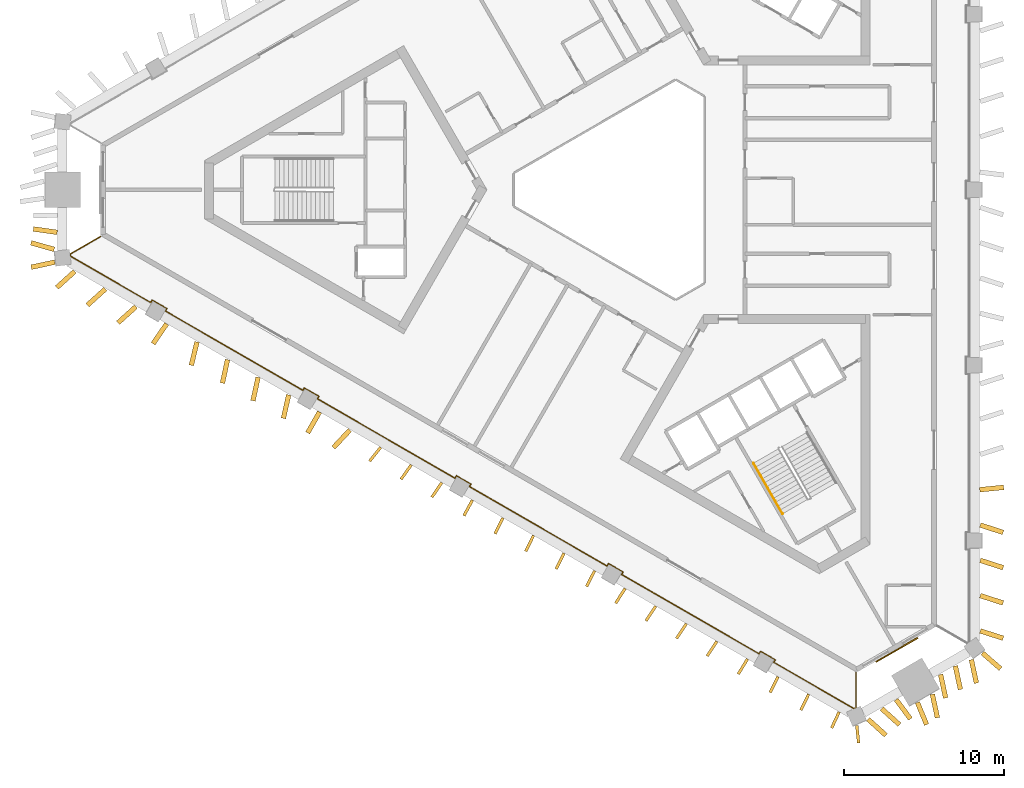
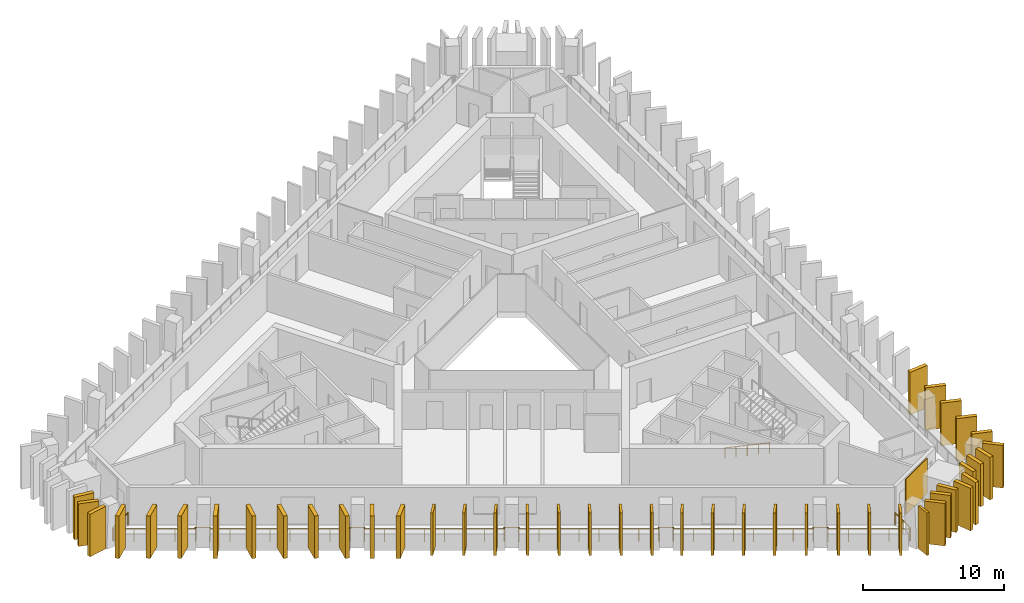
# One storey, part 7 of 10: 44 shading devices, 2 railings, 1 covering.
"""IFC4 building model written with IfcOpenShell, lengths in metres."""

import ifcopenshell
import ifcopenshell.guid

model = None  # the IFC model being written
_history = None  # IfcOwnerHistory: only IFC2X3 demands one
_inside = {}  # id of a spatial element -> (the spatial element, [elements in it])
_under = {}  # id of a project, library or spatial element -> (it, [spatial elements below it])
_declared = {}  # id of a project -> (the project, [libraries it declares])
_typed = {}  # id of a type object -> (the type object, [elements of that type])
_made_of = {}  # id of a material, layer set ... -> (it, [elements and type objects made of it])


def new_model(schema):
    """Start an empty IFC model of exactly this schema.

    Asked for "IFC4X3", IfcOpenShell would pick the latest addendum, in which some entities
    have other attributes; the version numbers below select the first issue.
    IFC2X3 requires an IfcOwnerHistory on every rooted entity: one is made here for all.
    """
    global model, _history
    if schema == "IFC4X3":
        model = ifcopenshell.file(schema_version=(4, 3, 0, 0))
    else:
        model = ifcopenshell.file(schema=schema)
    _inside.clear()
    _under.clear()
    _declared.clear()
    _typed.clear()
    _made_of.clear()
    _history = None
    if model.schema == "IFC2X3":
        org = make("IfcOrganization", Name="unknown")
        user = make(
            "IfcPersonAndOrganization",
            ThePerson=make("IfcPerson", FamilyName="unknown"),
            TheOrganization=org,
        )
        app = make(
            "IfcApplication",
            ApplicationDeveloper=org,
            Version="unknown",
            ApplicationFullName="unknown",
            ApplicationIdentifier="unknown",
        )
        _history = make(
            "IfcOwnerHistory",
            OwningUser=user,
            OwningApplication=app,
            ChangeAction="ADDED",
            CreationDate=0,
        )
    return model


def make(cls, **values):
    """One entity of the class cls with the attributes given. An attribute that is None is left unset."""
    return model.create_entity(
        cls, **{name: value for name, value in values.items() if value is not None}
    )


def rooted(cls, **values):
    """An entity with a GlobalId (a new one), such as an element, a storey or a relation."""
    return make(cls, GlobalId=ifcopenshell.guid.new(), OwnerHistory=_history, **values)


def si_unit(unit_type, name, prefix=None):
    """IfcSIUnit, for example si_unit("LENGTHUNIT", "METRE", prefix="MILLI")."""
    return make("IfcSIUnit", UnitType=unit_type, Prefix=prefix, Name=name)


def assignment(units):
    """IfcUnitAssignment: the units of a project."""
    return None if units is None else make("IfcUnitAssignment", Units=units)


def point(xyz):
    """IfcCartesianPoint."""
    return None if xyz is None else make("IfcCartesianPoint", Coordinates=xyz)


def direction(xyz):
    """IfcDirection."""
    return None if xyz is None else make("IfcDirection", DirectionRatios=xyz)


def frame(location, z_axis=None, x_axis=None):
    """IfcAxis2Placement3D, a coordinate frame: its origin and axes. An axis left out is left unset."""
    return make(
        "IfcAxis2Placement3D",
        Location=point(location),
        Axis=direction(z_axis),
        RefDirection=direction(x_axis),
    )


def frame_2d(location, x_axis=None):
    """IfcAxis2Placement2D, a coordinate frame in the plane: its origin and x axis."""
    return make(
        "IfcAxis2Placement2D", Location=point(location), RefDirection=direction(x_axis)
    )


def origin():
    """The frame at (0, 0, 0) with its axes left unset."""
    return frame((0.0, 0.0, 0.0))


def origin_2d():
    """The frame at (0, 0) in the plane with its x axis left unset."""
    return frame_2d((0.0, 0.0))


def place(relative_to, where):
    """IfcLocalPlacement: puts the frame where relative to a parent placement (None: the world)."""
    return make(
        "IfcLocalPlacement", PlacementRelTo=relative_to, RelativePlacement=where
    )


def context(
    kind, dimensions, precision=None, world=None, true_north=None, identifier=None
):
    """IfcGeometricRepresentationContext, for example the 3D "Model" context."""
    return make(
        "IfcGeometricRepresentationContext",
        ContextIdentifier=identifier,
        ContextType=kind,
        CoordinateSpaceDimension=dimensions,
        Precision=precision,
        WorldCoordinateSystem=world,
        TrueNorth=true_north,
    )


def subcontext(parent, identifier, kind, view, scale=None):
    """IfcGeometricRepresentationSubContext, for example "Body" below "Model"."""
    return make(
        "IfcGeometricRepresentationSubContext",
        ContextIdentifier=identifier,
        ContextType=kind,
        ParentContext=parent,
        TargetScale=scale,
        TargetView=view,
    )


def project(units=None, contexts=None):
    """IfcProject with its units and contexts."""
    return rooted(
        "IfcProject",
        Name="project",
        RepresentationContexts=contexts,
        UnitsInContext=assignment(units),
    )


def spatial(cls, under=None, at=None, **own):
    """A site, building, storey or space (cls), placed at a placement, below another one or the project."""
    s = rooted(cls, ObjectPlacement=at, **own)
    if under is not None:
        _under.setdefault(under.id(), (under, []))[1].append(s)
    return s


def profile(cls, at=None, kind="AREA", **sizes):
    """A parametric profile (cls). Its sizes go by their IFC names, for example OverallWidth=200.0."""
    return make(cls, ProfileType=kind, Position=at, **sizes)


def rectangle(**sizes):
    """IfcRectangleProfileDef."""
    return profile("IfcRectangleProfileDef", **sizes)


def circle(**sizes):
    """IfcCircleProfileDef."""
    return profile("IfcCircleProfileDef", **sizes)


def extrude(swept, where, along, depth):
    """IfcExtrudedAreaSolid: the profile swept, set in the frame where, extruded along a direction by depth."""
    return make(
        "IfcExtrudedAreaSolid",
        SweptArea=swept,
        Position=where,
        ExtrudedDirection=direction(along),
        Depth=depth,
    )


def shape(context_of_items, identifier, shape_type, items):
    """IfcShapeRepresentation: the items that make up one representation, for example the "Body"."""
    return make(
        "IfcShapeRepresentation",
        ContextOfItems=context_of_items,
        RepresentationIdentifier=identifier,
        RepresentationType=shape_type,
        Items=items,
    )


def material(Name=None, Category=None):
    """IfcMaterial."""
    return make("IfcMaterial", Name=Name, Category=Category)


def layer(
    of_material, thickness, ventilated=None, Name=None, Category=None, Priority=None
):
    """IfcMaterialLayer: one layer of a wall or slab, of a material (None: an air gap)."""
    return make(
        "IfcMaterialLayer",
        Material=of_material,
        LayerThickness=thickness,
        IsVentilated=ventilated,
        Name=Name,
        Category=Category,
        Priority=Priority,
    )


def layer_set(layers, Name=None):
    """IfcMaterialLayerSet."""
    return make("IfcMaterialLayerSet", MaterialLayers=layers, LayerSetName=Name)


def made_of(thing, what):
    """Note that an element or type object is made of a material, layer set ...; save() writes the relation."""
    if what is not None:
        _made_of.setdefault(what.id(), (what, []))[1].append(thing)
    return thing


def type_object(cls, material=None, **own):
    """A type object (cls), such as IfcWallType, which elements share."""
    return made_of(rooted(cls, **own), material)


def element(
    cls,
    number,
    at=None,
    inside=None,
    cuts=None,
    type_object=None,
    material=None,
    context=None,
    identifier="Body",
    shape_type=None,
    held_by="IfcProductDefinitionShape",
    body=None,
    shapes=None,
    **own,
):
    """One element of the class cls, such as IfcWall. Its Tag is "e" and its number.

    at: its placement. inside: the storey or other place that contains it. cuts: it is an
    opening in that element (IfcRelVoidsElement). A single representation is given by context,
    identifier, shape_type and body (its items); several are given by shapes. held_by: the class
    of the entity that holds the representations. save() writes the other relations.
    """
    e = rooted(cls, Tag="e%d" % number, ObjectPlacement=at, **own)
    if body is not None:
        shapes = [shape(context, identifier, shape_type, body)]
    if shapes is not None:
        e.Representation = make(held_by, Representations=shapes)
    if inside is not None:
        _inside.setdefault(inside.id(), (inside, []))[1].append(e)
    if cuts is not None:
        rooted(
            "IfcRelVoidsElement", RelatingBuildingElement=cuts, RelatedOpeningElement=e
        )
    if type_object is not None:
        _typed.setdefault(type_object.id(), (type_object, []))[1].append(e)
    return made_of(e, material)


def aggregate(whole, parts):
    """IfcRelAggregates: a whole, such as a stair, and the parts it consists of."""
    return rooted("IfcRelAggregates", RelatingObject=whole, RelatedObjects=parts)


def save(model, path):
    """Write the relations noted so far, then the file.

    IfcRelAggregates (storeys below a building ...), IfcRelContainedInSpatialStructure (elements
    in a storey), IfcRelDefinesByType, IfcRelAssociatesMaterial and IfcRelDeclares: one each for
    every whole, place, type object, material and project.
    """
    for whole, parts in _under.values():
        aggregate(whole, parts)
    for where, things in _inside.values():
        rooted(
            "IfcRelContainedInSpatialStructure",
            RelatedElements=things,
            RelatingStructure=where,
        )
    for kind, things in _typed.values():
        rooted("IfcRelDefinesByType", RelatedObjects=things, RelatingType=kind)
    for what, things in _made_of.values():
        rooted("IfcRelAssociatesMaterial", RelatedObjects=things, RelatingMaterial=what)
    for by, libraries in _declared.values():
        rooted("IfcRelDeclares", RelatingContext=by, RelatedDefinitions=libraries)
    model.write(path)


model = new_model("IFC4")

# Units and contexts
model_context = context("Model", 3, precision=1e-05, world=origin(), true_north=direction((0.0, 1.0)))
body_context = subcontext(model_context, "Body", "Model", "MODEL_VIEW")
ifc_project = project(units=[si_unit("LENGTHUNIT", "METRE"), si_unit("AREAUNIT", "SQUARE_METRE"), si_unit("VOLUMEUNIT", "CUBIC_METRE"), si_unit("PLANEANGLEUNIT", "RADIAN"), si_unit("MASSUNIT", "GRAM", prefix="KILO")], contexts=[model_context])

# Site, building, storey
site_placement = place(None, origin())
site = spatial("IfcSite", under=ifc_project, at=site_placement, CompositionType="ELEMENT")
building_placement = place(site_placement, origin())
building = spatial("IfcBuilding", under=site, at=building_placement, Name="Jabali Bay Hotel Tower and Convention Centre", CompositionType="ELEMENT")
storey_placement = place(building_placement, frame((0.0, 0.0, 160.0)))
storey = spatial("IfcBuildingStorey", under=building, at=storey_placement, Name="L38", CompositionType="ELEMENT", Elevation=160.0)

# Railing
ifc_material_1 = material(Name="Glass", Category="glass")
railing_type_1 = type_object("IfcRailingType", Name="Loggia glass guard 1100", PredefinedType="BALUSTRADE", material=ifc_material_1)
railing_1_placement = place(storey_placement, frame((89.015869140625, 49.881591796875, 0.0)))
element("IfcRailing", 1, at=railing_1_placement, inside=storey, type_object=railing_type_1, Name="Loggia glass guard L38", PredefinedType="BALUSTRADE", context=body_context, shape_type="SweptSolid", body=[
    extrude(circle(Radius=0.02490234375, at=origin_2d()), frame((0.0, 0.0, 1.0751953125), z_axis=(0.0, -1.0, 0.0), x_axis=(0.991444861374, 0.0, 0.13052619222)), (0.0, 0.0, 1.0), 2.19287109375),
    extrude(circle(Radius=0.02490234375, at=origin_2d()), frame((0.0, -2.19287109375, 1.0751953125), z_axis=(-0.9195450827, -0.39298453008, 0.0), x_axis=(0.389622492947, -0.911678247044, 0.13052619222)), (0.0, 0.0, 1.0), 0.126220703125),
    extrude(circle(Radius=0.02490234375, at=origin_2d()), frame((-0.115966796875, -2.242431640625, 1.0751953125), z_axis=(-0.86603521404, 0.499983007755, 0.0), x_axis=(-0.495705583813, -0.858626162728, 0.13052619222)), (0.0, 0.0, 1.0), 5.785888671875),
    extrude(circle(Radius=0.02490234375, at=origin_2d()), frame((-5.126708984375, 0.650390625, 1.0751953125), z_axis=(0.500486622847, 0.865744269604, 0.0), x_axis=(-0.858337707362, 0.496204890408, 0.13052619222)), (0.0, 0.0, 1.0), 0.175048828125),
    extrude(circle(Radius=0.02490234375, at=origin_2d()), frame((-5.0390625, 0.802001953125, 1.0751953125), z_axis=(-0.866088799389, 0.499890179513, 0.0), x_axis=(-0.495613549729, -0.858679289647, 0.13052619222)), (0.0, 0.0, 1.0), 1.050048828125),
    extrude(circle(Radius=0.02490234375, at=origin_2d()), frame((-5.948486328125, 1.326904296875, 1.0751953125), z_axis=(-0.499440622861, -0.866348119543, 0.0), x_axis=(0.858936391282, -0.495167839097, 0.13052619222)), (0.0, 0.0, 1.0), 0.175048828125),
    extrude(circle(Radius=0.02490234375, at=origin_2d()), frame((-6.035888671875, 1.17529296875, 1.0751953125), z_axis=(-0.866024254232, 0.500001991079, 0.0), x_axis=(-0.495724404732, -0.858615296683, 0.13052619222)), (0.0, 0.0, 1.0), 9.90380859375),
    extrude(circle(Radius=0.02490234375, at=origin_2d()), frame((-14.61279296875, 6.127197265625, 1.0751953125), z_axis=(0.499440622861, 0.866348119543, 0.0), x_axis=(-0.858936391282, 0.495167839097, 0.13052619222)), (0.0, 0.0, 1.0), 0.175048828125),
    extrude(circle(Radius=0.02490234375, at=origin_2d()), frame((-14.525390625, 6.27880859375, 1.0751953125), z_axis=(-0.866030680601, 0.499990860175, 0.0), x_axis=(-0.495713369054, -0.858621668074, 0.13052619222)), (0.0, 0.0, 1.0), 1.0498046875),
    extrude(circle(Radius=0.02490234375, at=origin_2d()), frame((-15.4345703125, 6.8037109375, 1.0751953125), z_axis=(-0.500486622847, -0.865744269604, 0.0), x_axis=(0.858337707362, -0.496204890408, 0.13052619222)), (0.0, 0.0, 1.0), 0.175048828125),
    extrude(circle(Radius=0.02490234375, at=origin_2d()), frame((-15.522216796875, 6.652099609375, 1.0751953125), z_axis=(-0.866018091164, 0.500012665616, 0.0), x_axis=(-0.495734987947, -0.858609186342, 0.13052619222)), (0.0, 0.0, 1.0), 9.903564453125),
    extrude(circle(Radius=0.02490234375, at=origin_2d()), frame((-24.098876953125, 11.60400390625, 1.0751953125), z_axis=(0.499440622861, 0.866348119543, 0.0), x_axis=(-0.858936391282, 0.495167839097, 0.13052619222)), (0.0, 0.0, 1.0), 0.175048828125),
    extrude(circle(Radius=0.02490234375, at=origin_2d()), frame((-24.011474609375, 11.755615234375, 1.0751953125), z_axis=(-0.866030680601, 0.499990860175, 0.0), x_axis=(-0.495713369054, -0.858621668074, 0.13052619222)), (0.0, 0.0, 1.0), 1.0498046875),
    extrude(circle(Radius=0.02490234375, at=origin_2d()), frame((-24.920654296875, 12.280517578125, 1.0751953125), z_axis=(-0.501091290591, -0.865394429433, 0.0), x_axis=(0.857990860123, -0.496804385136, 0.13052619222)), (0.0, 0.0, 1.0), 0.1748046875),
    extrude(circle(Radius=0.02490234375, at=origin_2d()), frame((-25.00830078125, 12.129150390625, 1.0751953125), z_axis=(-0.866028765826, 0.499994176729, 0.0), x_axis=(-0.495716657234, -0.85861976968, 0.13052619222)), (0.0, 0.0, 1.0), 9.9033203125),
    extrude(circle(Radius=0.02490234375, at=origin_2d()), frame((-33.5849609375, 17.080810546875, 1.0751953125), z_axis=(0.499440622861, 0.866348119543, 0.0), x_axis=(-0.858936391282, 0.495167839097, 0.13052619222)), (0.0, 0.0, 1.0), 0.175048828125),
    extrude(circle(Radius=0.02490234375, at=origin_2d()), frame((-33.49755859375, 17.232421875, 1.0751953125), z_axis=(-0.866088799389, 0.499890179513, 0.0), x_axis=(-0.495613549729, -0.858679289647, 0.13052619222)), (0.0, 0.0, 1.0), 1.050048828125),
    extrude(circle(Radius=0.02490234375, at=origin_2d()), frame((-34.406982421875, 17.75732421875, 1.0751953125), z_axis=(-0.500044870432, -0.865999496279, 0.0), x_axis=(0.858590750538, -0.495766917246, 0.13052619222)), (0.0, 0.0, 1.0), 0.1748046875),
    extrude(circle(Radius=0.02490234375, at=origin_2d()), frame((-34.494384765625, 17.60595703125, 1.0751953125), z_axis=(-0.866034928513, 0.499983502323, 0.0), x_axis=(-0.49570607415, -0.858625879645, 0.13052619222)), (0.0, 0.0, 1.0), 9.903564453125),
    extrude(circle(Radius=0.02490234375, at=origin_2d()), frame((-43.0712890625, 22.5576171875, 1.0751953125), z_axis=(0.500486622847, 0.865744269604, 0.0), x_axis=(-0.858337707362, 0.496204890408, 0.13052619222)), (0.0, 0.0, 1.0), 0.175048828125),
    extrude(circle(Radius=0.02490234375, at=origin_2d()), frame((-42.983642578125, 22.709228515625, 1.0751953125), z_axis=(-0.866088799389, 0.499890179513, 0.0), x_axis=(-0.495613549729, -0.858679289647, 0.13052619222)), (0.0, 0.0, 1.0), 1.050048828125),
    extrude(circle(Radius=0.02490234375, at=origin_2d()), frame((-43.89306640625, 23.234130859375, 1.0751953125), z_axis=(-0.500044870432, -0.865999496279, 0.0), x_axis=(0.858590750538, -0.495766917246, 0.13052619222)), (0.0, 0.0, 1.0), 0.1748046875),
    extrude(circle(Radius=0.02490234375, at=origin_2d()), frame((-43.98046875, 23.082763671875, 1.0751953125), z_axis=(-0.86603521404, 0.499983007755, 0.0), x_axis=(-0.495705583813, -0.858626162728, 0.13052619222)), (0.0, 0.0, 1.0), 5.785888671875),
    extrude(circle(Radius=0.02490234375, at=origin_2d()), frame((-48.9912109375, 25.9755859375, 1.0751953125), z_axis=(-0.118076557849, 0.993004494696, 0.0), x_axis=(-0.984509203588, -0.117066396528, 0.13052619222)), (0.0, 0.0, 1.0), 0.126220703125),
    extrude(circle(Radius=0.02490234375, at=origin_2d()), frame((-49.006103515625, 26.100830078125, 1.0751953125), z_axis=(0.866007583809, 0.500030863832, 0.0), x_axis=(-0.495753030475, 0.858598768878, 0.13052619222)), (0.0, 0.0, 1.0), 2.192626953125),
    extrude(circle(Radius=0.02001953125, at=origin_2d()), origin(), (0.0, 0.0, 1.0), 1.050048828125),
    extrude(circle(Radius=0.02001953125, at=origin_2d()), frame((0.0, -1.096435546875, 0.0)), (0.0, 0.0, 1.0), 1.050048828125),
    extrude(circle(Radius=0.02001953125, at=origin_2d()), frame((0.0, -2.19287109375, 0.0)), (0.0, 0.0, 1.0), 1.050048828125),
    extrude(circle(Radius=0.02001953125, at=origin_2d()), frame((-0.115966796875, -2.242431640625, 0.0)), (0.0, 0.0, 1.0), 1.050048828125),
    extrude(circle(Radius=0.02001953125, at=origin_2d()), frame((-1.36865234375, -1.519287109375, 0.0)), (0.0, 0.0, 1.0), 1.050048828125),
    extrude(circle(Radius=0.02001953125, at=origin_2d()), frame((-2.621337890625, -0.7958984375, 0.0)), (0.0, 0.0, 1.0), 1.050048828125),
    extrude(circle(Radius=0.02001953125, at=origin_2d()), frame((-3.8740234375, -0.07275390625, 0.0)), (0.0, 0.0, 1.0), 1.050048828125),
    extrude(circle(Radius=0.02001953125, at=origin_2d()), frame((-5.126708984375, 0.650390625, 0.0)), (0.0, 0.0, 1.0), 1.050048828125),
    extrude(circle(Radius=0.02001953125, at=origin_2d()), frame((-5.0390625, 0.802001953125, 0.0)), (0.0, 0.0, 1.0), 1.050048828125),
    extrude(circle(Radius=0.02001953125, at=origin_2d()), frame((-5.948486328125, 1.326904296875, 0.0)), (0.0, 0.0, 1.0), 1.050048828125),
    extrude(circle(Radius=0.02001953125, at=origin_2d()), frame((-6.035888671875, 1.17529296875, 0.0)), (0.0, 0.0, 1.0), 1.050048828125),
    extrude(circle(Radius=0.02001953125, at=origin_2d()), frame((-7.26123046875, 1.8828125, 0.0)), (0.0, 0.0, 1.0), 1.050048828125),
    extrude(circle(Radius=0.02001953125, at=origin_2d()), frame((-8.486328125, 2.590087890625, 0.0)), (0.0, 0.0, 1.0), 1.050048828125),
    extrude(circle(Radius=0.02001953125, at=origin_2d()), frame((-9.711669921875, 3.297607421875, 0.0)), (0.0, 0.0, 1.0), 1.050048828125),
    extrude(circle(Radius=0.02001953125, at=origin_2d()), frame((-10.93701171875, 4.0048828125, 0.0)), (0.0, 0.0, 1.0), 1.050048828125),
    extrude(circle(Radius=0.02001953125, at=origin_2d()), frame((-12.162353515625, 4.71240234375, 0.0)), (0.0, 0.0, 1.0), 1.050048828125),
    extrude(circle(Radius=0.02001953125, at=origin_2d()), frame((-13.387451171875, 5.419677734375, 0.0)), (0.0, 0.0, 1.0), 1.050048828125),
    extrude(circle(Radius=0.02001953125, at=origin_2d()), frame((-14.61279296875, 6.127197265625, 0.0)), (0.0, 0.0, 1.0), 1.050048828125),
    extrude(circle(Radius=0.02001953125, at=origin_2d()), frame((-14.525390625, 6.27880859375, 0.0)), (0.0, 0.0, 1.0), 1.050048828125),
    extrude(circle(Radius=0.02001953125, at=origin_2d()), frame((-15.4345703125, 6.8037109375, 0.0)), (0.0, 0.0, 1.0), 1.050048828125),
    extrude(circle(Radius=0.02001953125, at=origin_2d()), frame((-15.522216796875, 6.652099609375, 0.0)), (0.0, 0.0, 1.0), 1.050048828125),
    extrude(circle(Radius=0.02001953125, at=origin_2d()), frame((-16.74755859375, 7.359619140625, 0.0)), (0.0, 0.0, 1.0), 1.050048828125),
    extrude(circle(Radius=0.02001953125, at=origin_2d()), frame((-17.97265625, 8.06689453125, 0.0)), (0.0, 0.0, 1.0), 1.050048828125),
    extrude(circle(Radius=0.02001953125, at=origin_2d()), frame((-19.197998046875, 8.7744140625, 0.0)), (0.0, 0.0, 1.0), 1.050048828125),
    extrude(circle(Radius=0.02001953125, at=origin_2d()), frame((-20.423095703125, 9.481689453125, 0.0)), (0.0, 0.0, 1.0), 1.050048828125),
    extrude(circle(Radius=0.02001953125, at=origin_2d()), frame((-21.6484375, 10.189208984375, 0.0)), (0.0, 0.0, 1.0), 1.050048828125),
    extrude(circle(Radius=0.02001953125, at=origin_2d()), frame((-22.87353515625, 10.896484375, 0.0)), (0.0, 0.0, 1.0), 1.050048828125),
    extrude(circle(Radius=0.02001953125, at=origin_2d()), frame((-24.098876953125, 11.60400390625, 0.0)), (0.0, 0.0, 1.0), 1.050048828125),
    extrude(circle(Radius=0.02001953125, at=origin_2d()), frame((-24.011474609375, 11.755615234375, 0.0)), (0.0, 0.0, 1.0), 1.050048828125),
    extrude(circle(Radius=0.02001953125, at=origin_2d()), frame((-24.920654296875, 12.280517578125, 0.0)), (0.0, 0.0, 1.0), 1.050048828125),
    extrude(circle(Radius=0.02001953125, at=origin_2d()), frame((-25.00830078125, 12.129150390625, 0.0)), (0.0, 0.0, 1.0), 1.050048828125),
    extrude(circle(Radius=0.02001953125, at=origin_2d()), frame((-26.233642578125, 12.83642578125, 0.0)), (0.0, 0.0, 1.0), 1.050048828125),
    extrude(circle(Radius=0.02001953125, at=origin_2d()), frame((-27.458740234375, 13.5439453125, 0.0)), (0.0, 0.0, 1.0), 1.050048828125),
    extrude(circle(Radius=0.02001953125, at=origin_2d()), frame((-28.68408203125, 14.251220703125, 0.0)), (0.0, 0.0, 1.0), 1.050048828125),
    extrude(circle(Radius=0.02001953125, at=origin_2d()), frame((-29.9091796875, 14.958740234375, 0.0)), (0.0, 0.0, 1.0), 1.050048828125),
    extrude(circle(Radius=0.02001953125, at=origin_2d()), frame((-31.134521484375, 15.666015625, 0.0)), (0.0, 0.0, 1.0), 1.050048828125),
    extrude(circle(Radius=0.02001953125, at=origin_2d()), frame((-32.359619140625, 16.37353515625, 0.0)), (0.0, 0.0, 1.0), 1.050048828125),
    extrude(circle(Radius=0.02001953125, at=origin_2d()), frame((-33.5849609375, 17.080810546875, 0.0)), (0.0, 0.0, 1.0), 1.050048828125),
    extrude(circle(Radius=0.02001953125, at=origin_2d()), frame((-33.49755859375, 17.232421875, 0.0)), (0.0, 0.0, 1.0), 1.050048828125),
    extrude(circle(Radius=0.02001953125, at=origin_2d()), frame((-34.406982421875, 17.75732421875, 0.0)), (0.0, 0.0, 1.0), 1.050048828125),
    extrude(circle(Radius=0.02001953125, at=origin_2d()), frame((-34.494384765625, 17.60595703125, 0.0)), (0.0, 0.0, 1.0), 1.050048828125),
    extrude(circle(Radius=0.02001953125, at=origin_2d()), frame((-35.7197265625, 18.313232421875, 0.0)), (0.0, 0.0, 1.0), 1.050048828125),
    extrude(circle(Radius=0.02001953125, at=origin_2d()), frame((-36.94482421875, 19.020751953125, 0.0)), (0.0, 0.0, 1.0), 1.050048828125),
    extrude(circle(Radius=0.02001953125, at=origin_2d()), frame((-38.170166015625, 19.72802734375, 0.0)), (0.0, 0.0, 1.0), 1.050048828125),
    extrude(circle(Radius=0.02001953125, at=origin_2d()), frame((-39.3955078125, 20.435546875, 0.0)), (0.0, 0.0, 1.0), 1.050048828125),
    extrude(circle(Radius=0.02001953125, at=origin_2d()), frame((-40.620849609375, 21.142822265625, 0.0)), (0.0, 0.0, 1.0), 1.050048828125),
    extrude(circle(Radius=0.02001953125, at=origin_2d()), frame((-41.845947265625, 21.850341796875, 0.0)), (0.0, 0.0, 1.0), 1.050048828125),
    extrude(circle(Radius=0.02001953125, at=origin_2d()), frame((-43.0712890625, 22.5576171875, 0.0)), (0.0, 0.0, 1.0), 1.050048828125),
    extrude(circle(Radius=0.02001953125, at=origin_2d()), frame((-42.983642578125, 22.709228515625, 0.0)), (0.0, 0.0, 1.0), 1.050048828125),
    extrude(circle(Radius=0.02001953125, at=origin_2d()), frame((-43.89306640625, 23.234130859375, 0.0)), (0.0, 0.0, 1.0), 1.050048828125),
    extrude(circle(Radius=0.02001953125, at=origin_2d()), frame((-43.98046875, 23.082763671875, 0.0)), (0.0, 0.0, 1.0), 1.050048828125),
    extrude(circle(Radius=0.02001953125, at=origin_2d()), frame((-45.233154296875, 23.805908203125, 0.0)), (0.0, 0.0, 1.0), 1.050048828125),
    extrude(circle(Radius=0.02001953125, at=origin_2d()), frame((-46.48583984375, 24.529296875, 0.0)), (0.0, 0.0, 1.0), 1.050048828125),
    extrude(circle(Radius=0.02001953125, at=origin_2d()), frame((-47.738525390625, 25.25244140625, 0.0)), (0.0, 0.0, 1.0), 1.050048828125),
    extrude(circle(Radius=0.02001953125, at=origin_2d()), frame((-48.9912109375, 25.9755859375, 0.0)), (0.0, 0.0, 1.0), 1.050048828125),
    extrude(circle(Radius=0.02001953125, at=origin_2d()), frame((-49.006103515625, 26.100830078125, 0.0)), (0.0, 0.0, 1.0), 1.050048828125),
    extrude(circle(Radius=0.02001953125, at=origin_2d()), frame((-48.056640625, 26.64892578125, 0.0)), (0.0, 0.0, 1.0), 1.050048828125),
    extrude(circle(Radius=0.02001953125, at=origin_2d()), frame((-47.107177734375, 27.197265625, 0.0)), (0.0, 0.0, 1.0), 1.050048828125),
])

# Shading devices
ifc_material_2 = material(Name="Precast concrete C60", Category="concrete")
ifc_layer_1 = layer(ifc_material_2, 0.179931640625)
ifc_layer_set_1 = layer_set([ifc_layer_1], Name="Precast concrete C60")
shading_device_type_1 = type_object("IfcShadingDeviceType", Name="Precast fin 3680 x 1100", PredefinedType="USERDEFINED", material=ifc_layer_set_1)
shading_device_1_placement = place(storey_placement, frame((59.369384765625, 63.931396484375, 0.010009765625), z_axis=(0.0, 0.0, 1.0), x_axis=(-0.623178254239, -0.782079831887, 0.0)))
element("IfcShadingDevice", 2, at=shading_device_1_placement, inside=storey, type_object=shading_device_type_1, Name="Fin L38 078", ObjectType="FIN", PredefinedType="USERDEFINED", context=body_context, shape_type="SweptSolid", body=[
    extrude(rectangle(XDim=1.10009765625, YDim=0.179931640625, at=frame_2d((0.550048828125, 0.0))), origin(), (0.0, 0.0, 1.0), 3.679931640625),
])
shading_device_2_placement = place(storey_placement, frame((61.277587890625, 62.8349609375, 0.010009765625), z_axis=(0.0, 0.0, 1.0), x_axis=(-0.580650145153, -0.814153185177, 0.0)))
element("IfcShadingDevice", 3, at=shading_device_2_placement, inside=storey, type_object=shading_device_type_1, Name="Fin L38 079", ObjectType="FIN", PredefinedType="USERDEFINED", context=body_context, shape_type="SweptSolid", body=[
    extrude(rectangle(XDim=1.099853515625, YDim=0.179931640625, at=frame_2d((0.5498046875, 0.0))), origin(), (0.0, 0.0, 1.0), 3.679931640625),
])
for number, where, z_axis, x_axis, name in (
    (4, (63.184814453125, 61.736328125, 0.010009765625), (0.0, 0.0, 1.0), (-0.563020017907, -0.826443258449, 0.0), "Fin L38 080"),
    (5, (65.093017578125, 60.6396484375, 0.010009765625), (0.0, 0.0, 1.0), (-0.479411856081, -0.877590036548, 0.0), "Fin L38 081"),
    (6, (66.997314453125, 59.5361328125, 0.010009765625), (0.0, 0.0, 1.0), (-0.443392530446, -0.896327542779, 0.0), "Fin L38 082"),
    (7, (68.9033203125, 58.435791015625, 0.010009765625), (0.0, 0.0, 1.0), (-0.444103724486, -0.895975380185, 0.0), "Fin L38 083"),
):
    element("IfcShadingDevice", number, at=place(storey_placement, frame(where, z_axis=z_axis, x_axis=x_axis)), inside=storey, type_object=shading_device_type_1, Name=name, ObjectType="FIN", PredefinedType="USERDEFINED", context=body_context, shape_type="SweptSolid", body=[
        extrude(rectangle(XDim=1.10009765625, YDim=0.179931640625, at=frame_2d((0.550048828125, 0.0))), origin(), (0.0, 0.0, 1.0), 3.679931640625),
    ])
shading_device_3_placement = place(storey_placement, frame((70.809326171875, 57.335205078125, 0.010009765625), z_axis=(0.0, 0.0, 1.0), x_axis=(-0.444370211076, -0.895843242709, 0.0)))
element("IfcShadingDevice", 8, at=shading_device_3_placement, inside=storey, type_object=shading_device_type_1, Name="Fin L38 084", ObjectType="FIN", PredefinedType="USERDEFINED", context=body_context, shape_type="SweptSolid", body=[
    extrude(rectangle(XDim=1.099853515625, YDim=0.179931640625, at=frame_2d((0.5498046875, 0.0))), origin(), (0.0, 0.0, 1.0), 3.679931640625),
])
shading_device_4_placement = place(storey_placement, frame((72.716064453125, 56.23583984375, 0.010009765625), z_axis=(0.0, 0.0, 1.0), x_axis=(-0.455627145521, -0.89017071636, 0.0)))
element("IfcShadingDevice", 9, at=shading_device_4_placement, inside=storey, type_object=shading_device_type_1, Name="Fin L38 085", ObjectType="FIN", PredefinedType="USERDEFINED", context=body_context, shape_type="SweptSolid", body=[
    extrude(rectangle(XDim=1.10009765625, YDim=0.179931640625, at=frame_2d((0.550048828125, 0.0))), origin(), (0.0, 0.0, 1.0), 3.679931640625),
])
shading_device_5_placement = place(storey_placement, frame((74.6220703125, 55.13525390625, 0.010009765625), z_axis=(0.0, 0.0, 1.0), x_axis=(-0.543380122059, -0.839486773541, 0.0)))
element("IfcShadingDevice", 10, at=shading_device_5_placement, inside=storey, type_object=shading_device_type_1, Name="Fin L38 086", ObjectType="FIN", PredefinedType="USERDEFINED", context=body_context, shape_type="SweptSolid", body=[
    extrude(rectangle(XDim=1.099853515625, YDim=0.179931640625, at=frame_2d((0.5498046875, 0.0))), origin(), (0.0, 0.0, 1.0), 3.679931640625),
])
shading_device_6_placement = place(storey_placement, frame((76.527587890625, 54.033935546875, 0.010009765625), z_axis=(0.0, 0.0, 1.0), x_axis=(-0.553316522906, -0.832971083219, 0.0)))
element("IfcShadingDevice", 11, at=shading_device_6_placement, inside=storey, type_object=shading_device_type_1, Name="Fin L38 087", ObjectType="FIN", PredefinedType="USERDEFINED", context=body_context, shape_type="SweptSolid", body=[
    extrude(rectangle(XDim=1.10009765625, YDim=0.179931640625, at=frame_2d((0.550048828125, 0.0))), origin(), (0.0, 0.0, 1.0), 3.679931640625),
])
for number, where, z_axis, x_axis, name in (
    (12, (78.43359375, 52.933349609375, 0.010009765625), (0.0, 0.0, 1.0), (-0.553418832769, -0.832903112935, 0.0), "Fin L38 088"),
    (13, (80.339599609375, 51.8330078125, 0.010009765625), (0.0, 0.0, 1.0), (-0.553572804358, -0.832800786668, 0.0), "Fin L38 089"),
):
    element("IfcShadingDevice", number, at=place(storey_placement, frame(where, z_axis=z_axis, x_axis=x_axis)), inside=storey, type_object=shading_device_type_1, Name=name, ObjectType="FIN", PredefinedType="USERDEFINED", context=body_context, shape_type="SweptSolid", body=[
        extrude(rectangle(XDim=1.099853515625, YDim=0.179931640625, at=frame_2d((0.5498046875, 0.0))), origin(), (0.0, 0.0, 1.0), 3.679931640625),
    ])
for number, where, z_axis, x_axis, name in (
    (14, (82.24755859375, 50.735595703125, 0.010009765625), (0.0, 0.0, 1.0), (-0.519968067785, -0.854185699063, 0.0), "Fin L38 090"),
    (15, (84.151611328125, 49.6318359375, 0.010009765625), (0.0, 0.0, 1.0), (-0.441879146179, -0.897074590083, 0.0), "Fin L38 091"),
    (16, (86.057373046875, 48.531005859375, 0.010009765625), (0.0, 0.0, 1.0), (-0.437242574946, -0.899343611005, 0.0), "Fin L38 092"),
    (17, (87.962890625, 47.429443359375, 0.010009765625), (0.0, 0.0, 1.0), (-0.423444262128, -0.905922158284, 0.0), "Fin L38 093"),
    (18, (89.06591796875, 46.593505859375, 0.010009765625), (0.0, 0.0, 1.0), (0.10231607409, -0.994751939421, 0.0), "Fin L38 107"),
):
    element("IfcShadingDevice", number, at=place(storey_placement, frame(where, z_axis=z_axis, x_axis=x_axis)), inside=storey, type_object=shading_device_type_1, Name=name, ObjectType="FIN", PredefinedType="USERDEFINED", context=body_context, shape_type="SweptSolid", body=[
        extrude(rectangle(XDim=1.10009765625, YDim=0.179931640625, at=frame_2d((0.550048828125, 0.0))), origin(), (0.0, 0.0, 1.0), 3.679931640625),
    ])
ifc_layer_2 = layer(ifc_material_2, 0.300048828125)
ifc_layer_set_2 = layer_set([ifc_layer_2], Name="Precast concrete C60")
shading_device_type_2 = type_object("IfcShadingDeviceType", Name="Precast fin 3680 x 1500", PredefinedType="USERDEFINED", material=ifc_layer_set_2)
shading_device_7_placement = place(storey_placement, frame((96.763427734375, 52.488525390625, 0.010009765625), z_axis=(0.0, 0.0, 1.0), x_axis=(0.952908676006, -0.303257407482, 0.0)))
element("IfcShadingDevice", 19, at=shading_device_7_placement, inside=storey, type_object=shading_device_type_2, Name="Fin L38 000", ObjectType="FIN", PredefinedType="USERDEFINED", context=body_context, shape_type="SweptSolid", body=[
    extrude(rectangle(XDim=1.499755859375, YDim=0.300048828125, at=frame_2d((0.75, 0.0))), origin(), (0.0, 0.0, 1.0), 3.679931640625),
])
for number, where, z_axis, x_axis, name in (
    (20, (96.763671875, 54.689453125, 0.010009765625), (0.0, 0.0, 1.0), (0.952092888, -0.305808980607, 0.0), "Fin L38 001"),
    (21, (96.763916015625, 56.890380859375, 0.010009765625), (0.0, 0.0, 1.0), (0.951872631335, -0.306493872231, 0.0), "Fin L38 002"),
    (22, (96.763916015625, 59.09130859375, 0.010009765625), (0.0, 0.0, 1.0), (0.951777621698, -0.30678878538, 0.0), "Fin L38 003"),
    (23, (96.732666015625, 61.292236328125, 0.010009765625), (0.0, 0.0, 1.0), (0.995139793345, 0.098472289005, 0.0), "Fin L38 004"),
    (24, (39.200927734375, 77.344482421875, 0.010009765625), (0.0, 0.0, 1.0), (-0.990314012609, 0.138845800913, 0.0), "Fin L38 066"),
    (25, (39.013671875, 76.2822265625, 0.010009765625), (0.0, 0.0, 1.0), (-0.962074771273, 0.272785876612, 0.0), "Fin L38 067"),
    (26, (40.29248046875, 74.90771484375, 0.010009765625), (0.0, 0.0, 1.0), (-0.741543490988, -0.670904800231, 0.0), "Fin L38 068"),
    (27, (42.198486328125, 73.80712890625, 0.010009765625), (0.0, 0.0, 1.0), (-0.741543490988, -0.670904800231, 0.0), "Fin L38 069"),
    (28, (44.1044921875, 72.706787109375, 0.010009765625), (0.0, 0.0, 1.0), (-0.741543490988, -0.670904800231, 0.0), "Fin L38 070"),
    (29, (46.02783203125, 71.635986328125, 0.010009765625), (0.0, 0.0, 1.0), (-0.565582124855, -0.824691978889, 0.0), "Fin L38 071"),
    (30, (47.91845703125, 70.509033203125, 0.010009765625), (0.0, 0.0, 1.0), (-0.235367085289, -0.971906546517, 0.0), "Fin L38 072"),
    (31, (49.82275390625, 69.405517578125, 0.010009765625), (0.0, 0.0, 1.0), (-0.21077383225, -0.977534854437, 0.0), "Fin L38 073"),
    (32, (51.728759765625, 68.30517578125, 0.010009765625), (0.0, 0.0, 1.0), (-0.212085000559, -0.977251222838, 0.0), "Fin L38 074"),
):
    element("IfcShadingDevice", number, at=place(storey_placement, frame(where, z_axis=z_axis, x_axis=x_axis)), inside=storey, type_object=shading_device_type_2, Name=name, ObjectType="FIN", PredefinedType="USERDEFINED", context=body_context, shape_type="SweptSolid", body=[
        extrude(rectangle(XDim=1.5, YDim=0.300048828125, at=frame_2d((0.75, 0.0))), origin(), (0.0, 0.0, 1.0), 3.679931640625),
    ])
for number, where, z_axis, x_axis, name in (
    (33, (53.63525390625, 67.205322265625, 0.010009765625), (0.0, 0.0, 1.0), (-0.21763705833, -0.976029769444, 0.0), "Fin L38 075"),
    (34, (55.563232421875, 66.142822265625, 0.010009765625), (0.0, 0.0, 1.0), (-0.493858383897, -0.869542348971, 0.0), "Fin L38 076"),
):
    element("IfcShadingDevice", number, at=place(storey_placement, frame(where, z_axis=z_axis, x_axis=x_axis)), inside=storey, type_object=shading_device_type_2, Name=name, ObjectType="FIN", PredefinedType="USERDEFINED", context=body_context, shape_type="SweptSolid", body=[
        extrude(rectangle(XDim=1.499755859375, YDim=0.300048828125, at=frame_2d((0.75, 0.0))), origin(), (0.0, 0.0, 1.0), 3.679931640625),
    ])
shading_device_8_placement = place(storey_placement, frame((57.452880859375, 65.013916015625, 0.010009765625), z_axis=(0.0, 0.0, 1.0), x_axis=(-0.682944300418, -0.730470452878, 0.0)))
element("IfcShadingDevice", 35, at=shading_device_8_placement, inside=storey, type_object=shading_device_type_2, Name="Fin L38 077", ObjectType="FIN", PredefinedType="USERDEFINED", context=body_context, shape_type="SweptSolid", body=[
    extrude(rectangle(XDim=1.5, YDim=0.300048828125, at=frame_2d((0.75, 0.0))), origin(), (0.0, 0.0, 1.0), 3.679931640625),
])
shading_device_9_placement = place(storey_placement, frame((89.77099609375, 46.97998046875, 0.010009765625), z_axis=(0.0, 0.0, 1.0), x_axis=(0.741616739041, -0.670823831101, 0.0)))
element("IfcShadingDevice", 36, at=shading_device_9_placement, inside=storey, type_object=shading_device_type_2, Name="Fin L38 094", ObjectType="FIN", PredefinedType="USERDEFINED", context=body_context, shape_type="SweptSolid", body=[
    extrude(rectangle(XDim=1.500244140625, YDim=0.300048828125, at=frame_2d((0.75, 0.0))), origin(), (0.0, 0.0, 1.0), 3.679931640625),
])
for number, where, z_axis, x_axis, name in (
    (37, (90.6123046875, 47.6474609375, 0.010009765625), (0.0, 0.0, 1.0), (0.741543490988, -0.670904800231, 0.0), "Fin L38 095"),
    (38, (91.517822265625, 48.20361328125, 0.010009765625), (0.0, 0.0, 1.0), (0.596635584035, -0.802512292656, 0.0), "Fin L38 096"),
    (39, (92.84521484375, 48.029052734375, 0.010009765625), (0.0, 0.0, 1.0), (0.382672848413, -0.923883916457, 0.0), "Fin L38 097"),
    (40, (93.7783203125, 48.537353515625, 0.010009765625), (0.0, 0.0, 1.0), (0.210273710971, -0.977642555577, 0.0), "Fin L38 098"),
):
    element("IfcShadingDevice", number, at=place(storey_placement, frame(where, z_axis=z_axis, x_axis=x_axis)), inside=storey, type_object=shading_device_type_2, Name=name, ObjectType="FIN", PredefinedType="USERDEFINED", context=body_context, shape_type="SweptSolid", body=[
        extrude(rectangle(XDim=1.5, YDim=0.300048828125, at=frame_2d((0.75, 0.0))), origin(), (0.0, 0.0, 1.0), 3.679931640625),
    ])
shading_device_10_placement = place(storey_placement, frame((94.2919921875, 49.77197265625, 0.010009765625), z_axis=(0.0, 0.0, 1.0), x_axis=(0.210307173215, -0.977635357838, 0.0)))
element("IfcShadingDevice", 41, at=shading_device_10_placement, inside=storey, type_object=shading_device_type_2, Name="Fin L38 099", ObjectType="FIN", PredefinedType="USERDEFINED", context=body_context, shape_type="SweptSolid", body=[
    extrude(rectangle(XDim=1.499755859375, YDim=0.300048828125, at=frame_2d((0.75, 0.0))), origin(), (0.0, 0.0, 1.0), 3.679931640625),
])
shading_device_11_placement = place(storey_placement, frame((95.2119140625, 50.30322265625, 0.010009765625), z_axis=(0.0, 0.0, 1.0), x_axis=(0.210273710971, -0.977642555577, 0.0)))
element("IfcShadingDevice", 42, at=shading_device_11_placement, inside=storey, type_object=shading_device_type_2, Name="Fin L38 100", ObjectType="FIN", PredefinedType="USERDEFINED", context=body_context, shape_type="SweptSolid", body=[
    extrude(rectangle(XDim=1.5, YDim=0.300048828125, at=frame_2d((0.75, 0.0))), origin(), (0.0, 0.0, 1.0), 3.679931640625),
])
shading_device_12_placement = place(storey_placement, frame((96.210693359375, 50.69775390625, 0.010009765625), z_axis=(0.0, 0.0, 1.0), x_axis=(0.210151588234, -0.977668814048, 0.0)))
element("IfcShadingDevice", 43, at=shading_device_12_placement, inside=storey, type_object=shading_device_type_2, Name="Fin L38 101", ObjectType="FIN", PredefinedType="USERDEFINED", context=body_context, shape_type="SweptSolid", body=[
    extrude(rectangle(XDim=1.499755859375, YDim=0.300048828125, at=frame_2d((0.75, 0.0))), origin(), (0.0, 0.0, 1.0), 3.679931640625),
])
for number, where, z_axis, x_axis, name in (
    (44, (96.90234375, 51.11279296875, 0.010009765625), (0.0, 0.0, 1.0), (0.753795470059, -0.65710911523, 0.0), "Fin L38 102"),
    (45, (39.04833984375, 75.4853515625, 0.010009765625), (0.0, 0.0, 1.0), (-0.977642555577, -0.210273710971, 0.0), "Fin L38 106"),
):
    element("IfcShadingDevice", number, at=place(storey_placement, frame(where, z_axis=z_axis, x_axis=x_axis)), inside=storey, type_object=shading_device_type_2, Name=name, ObjectType="FIN", PredefinedType="USERDEFINED", context=body_context, shape_type="SweptSolid", body=[
        extrude(rectangle(XDim=1.5, YDim=0.300048828125, at=frame_2d((0.75, 0.0))), origin(), (0.0, 0.0, 1.0), 3.679931640625),
    ])

# Covering
ifc_material_3 = material(Name="Precast concrete C40/50", Category="concrete")
ifc_layer_3 = layer(ifc_material_3, 0.080078125)
ifc_layer_set_3 = layer_set([ifc_layer_3], Name="Precast concrete C40/50")
covering_type = type_object("IfcCoveringType", Name="Relief panel 3000 x 3050", PredefinedType="CLADDING", material=ifc_layer_set_3)
covering_placement = place(storey_placement, frame((91.565673828125, 51.307373046875, 0.10009765625), z_axis=(0.0, 0.0, 1.0), x_axis=(-0.866025386645, -0.500000029686, 0.0)))
element("IfcCovering", 46, at=covering_placement, inside=storey, type_object=covering_type, Name="Relief panel L38", PredefinedType="CLADDING", context=body_context, shape_type="SweptSolid", body=[
    extrude(rectangle(XDim=3.0, YDim=0.080078125, at=origin_2d()), origin(), (0.0, 0.0, 1.0), 3.050048828125),
])

# Railing
ifc_material_4 = material(Name="Steel Q355B", Category="steel")
railing_type_2 = type_object("IfcRailingType", Name="Stair handrail 900", PredefinedType="HANDRAIL", material=ifc_material_4)
railing_2_placement = place(storey_placement, frame((82.622802734375, 62.94677734375, 0.132080078125)))
element("IfcRailing", 47, at=railing_2_placement, inside=storey, type_object=railing_type_2, Name="L38 ST3 stair handrail 1", PredefinedType="HANDRAIL", context=body_context, shape_type="SweptSolid", body=[
    extrude(circle(Radius=0.02392578125, at=origin_2d()), frame((0.0, 0.0, 0.8759765625), z_axis=(0.45217862506, -0.783169739339, 0.426825081763), x_axis=(0.866018046521, 0.500012742938, 0.0)), (0.0, 0.0, 1.0), 4.025146484375),
    extrude(circle(Radius=0.02099609375, at=origin_2d()), origin(), (0.0, 0.0, 1.0), 0.851806640625),
    extrude(circle(Radius=0.02099609375, at=origin_2d()), frame((0.455078125, -0.7880859375, 0.429443359375)), (0.0, 0.0, 1.0), 0.851806640625),
    extrude(circle(Radius=0.02099609375, at=origin_2d()), frame((0.91015625, -1.576171875, 0.85888671875)), (0.0, 0.0, 1.0), 0.851806640625),
    extrude(circle(Radius=0.02099609375, at=origin_2d()), frame((1.364990234375, -2.3642578125, 1.28857421875)), (0.0, 0.0, 1.0), 0.851806640625),
    extrude(circle(Radius=0.02099609375, at=origin_2d()), frame((1.820068359375, -3.15234375, 1.718017578125)), (0.0, 0.0, 1.0), 0.851806640625),
])

save(model, "model.ifc")
